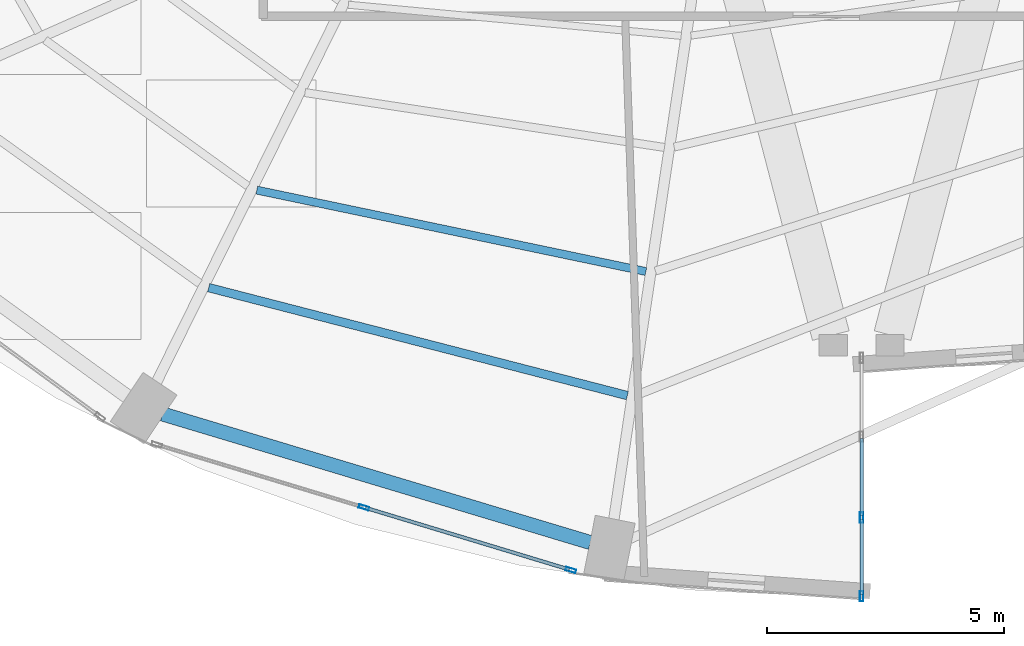
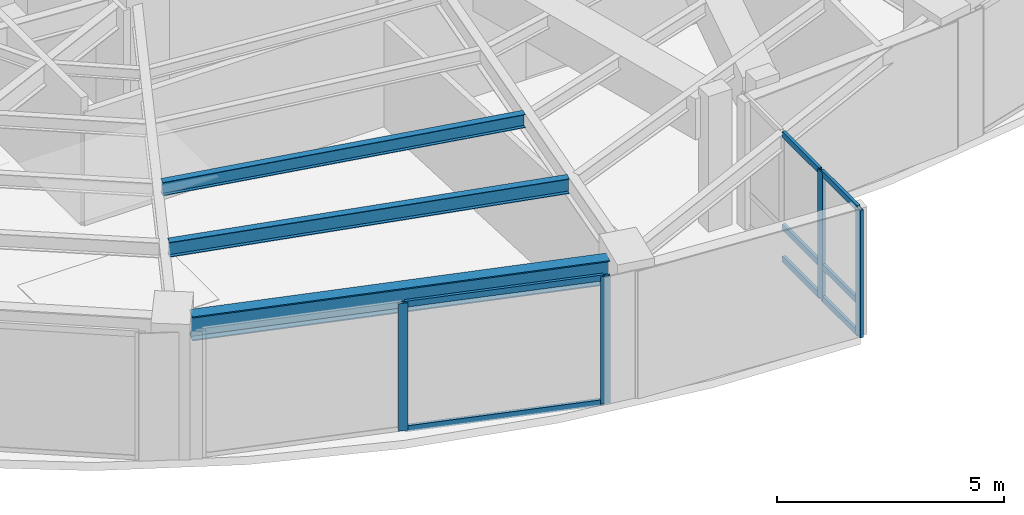
# One storey, part 5 of 25: 12 members, 3 beams, 2 elements without a shape of their own.
"""IFC4 building model written with IfcOpenShell, lengths in metres."""

from ifc_helpers import new_model, si_unit, direction, frame, origin, origin_2d, place, context, subcontext, project, spatial, hollow_rectangle, i_section, extrude, material, layer, layer_set, material_profile, profile_set, type_object, element, aggregate, save


model = new_model("IFC4")

# Units and contexts
model_context = context("Model", 3, precision=1e-05, world=origin(), true_north=direction((0.0, 1.0)))
body_context = subcontext(model_context, "Body", "Model", "MODEL_VIEW")
ifc_project = project(units=[si_unit("LENGTHUNIT", "METRE"), si_unit("AREAUNIT", "SQUARE_METRE"), si_unit("VOLUMEUNIT", "CUBIC_METRE"), si_unit("PLANEANGLEUNIT", "RADIAN"), si_unit("MASSUNIT", "GRAM", prefix="KILO")], contexts=[model_context])

# Site, building, storey
site_placement = place(None, origin())
site = spatial("IfcSite", under=ifc_project, at=site_placement, CompositionType="ELEMENT")
building_placement = place(site_placement, origin())
building = spatial("IfcBuilding", under=site, at=building_placement, Name="Lazwardi Medical Tower", CompositionType="ELEMENT")
storey_placement = place(building_placement, frame((0.0, 0.0, 50.736083984375)))
storey = spatial("IfcBuildingStorey", under=building, at=storey_placement, Name="L12", CompositionType="ELEMENT", Elevation=50.736083984375)

# Beams
ifc_material_1 = material(Name="Steel S355", Category="steel")
ifc_material_profile_1 = material_profile(ifc_material_1, i_section(OverallWidth=0.300048828125, OverallDepth=0.64990234375, WebThickness=0.01611328125, FlangeThickness=0.031005859375, at=origin_2d()), Name="HEB 650")
ifc_profile_set_1 = profile_set([ifc_material_profile_1], Name="Steel S355")
beam_type_1 = type_object("IfcBeamType", Name="BM-RB-Z1", PredefinedType="BEAM", material=ifc_profile_set_1)
beam_1_placement = place(storey_placement, frame((21.22119140625, 8.9951171875, 3.10302734375), z_axis=(0.957695289269, -0.287784177662, 0.0), x_axis=(0.287784177662, 0.957695289269, 0.0)))
element("IfcBeam", 1, at=beam_1_placement, inside=storey, type_object=beam_type_1, Name="Ring beam RB-02 B15 L12", PredefinedType="BEAM", context=body_context, shape_type="SweptSolid", body=[
    extrude(i_section(OverallWidth=0.300048828125, OverallDepth=0.64990234375, WebThickness=0.01611328125, FlangeThickness=0.031005859375, at=origin_2d()), origin(), (0.0, 0.0, 1.0), 9.445556640625),
])
ifc_material_profile_2 = material_profile(ifc_material_1, i_section(OverallWidth=0.179931640625, OverallDepth=0.39990234375, WebThickness=0.008544921875, FlangeThickness=0.013427734375, at=origin_2d()), Name="IPE 400")
ifc_profile_set_2 = profile_set([ifc_material_profile_2], Name="Steel S355")
beam_type_2 = type_object("IfcBeamType", Name="BM-SJ-01", PredefinedType="JOIST", material=ifc_profile_set_2)
beam_2_placement = place(storey_placement, frame((22.195068359375, 11.666748046875, 3.22802734375), z_axis=(0.968316918308, -0.249724539682, 0.0), x_axis=(0.249724539682, 0.968316918308, 0.0)))
element("IfcBeam", 2, at=beam_2_placement, inside=storey, type_object=beam_type_2, Name="Secondary joist SJ-01 R1 B15 L12", PredefinedType="JOIST", context=body_context, shape_type="SweptSolid", body=[
    extrude(i_section(OverallWidth=0.179931640625, OverallDepth=0.39990234375, WebThickness=0.008544921875, FlangeThickness=0.013427734375, at=origin_2d()), origin(), (0.0, 0.0, 1.0), 9.140869140625),
])
ifc_material_profile_3 = material_profile(ifc_material_1, i_section(OverallWidth=0.169921875, OverallDepth=0.360107421875, WebThickness=0.008056640625, FlangeThickness=0.0126953125, at=origin_2d()), Name="IPE 360")
ifc_profile_set_3 = profile_set([ifc_material_profile_3], Name="Steel S355")
beam_type_3 = type_object("IfcBeamType", Name="BM-SJ-02", PredefinedType="JOIST", material=ifc_profile_set_3)
beam_3_placement = place(storey_placement, frame((23.213623046875, 13.728271484375, 3.247802734375), z_axis=(0.978809182847, -0.204774470026, 0.0), x_axis=(0.204774470026, 0.978809182847, 0.0)))
element("IfcBeam", 3, at=beam_3_placement, inside=storey, type_object=beam_type_3, Name="Secondary joist SJ-02 R2 B15 L12", PredefinedType="JOIST", context=body_context, shape_type="SweptSolid", body=[
    extrude(i_section(OverallWidth=0.169921875, OverallDepth=0.360107421875, WebThickness=0.008056640625, FlangeThickness=0.0126953125, at=origin_2d()), origin(), (0.0, 0.0, 1.0), 8.40283203125),
])

# Curtain wall, members
ifc_material_2 = material(Name="Anodised bronze aluminium and solar control glazing", Category="aluminium")
ifc_layer_1 = layer(ifc_material_2, 0.199951171875)
ifc_layer_set_1 = layer_set([ifc_layer_1], Name="Anodised bronze aluminium and solar control glazing")
curtain_wall_type_1 = type_object("IfcCurtainWallType", Name="CW-SYS-02", PredefinedType="NOTDEFINED", material=ifc_layer_set_1)
curtain_wall_1_placement = place(storey_placement, origin())
curtain_wall_1 = element("IfcCurtainWall", 4, at=curtain_wall_1_placement, inside=storey, type_object=curtain_wall_type_1, Name="L12 Unitised bronze curtain wall CW-02", PredefinedType="NOTDEFINED")
ifc_material_3 = material(Name="Anodised bronze aluminium", Category="aluminium")
ifc_material_profile_4 = material_profile(ifc_material_3, hollow_rectangle(XDim=0.074951171875, YDim=0.219970703125, WallThickness=0.00390625, at=origin_2d()), Name="ALU-MULLION 220x75x4")
ifc_profile_set_4 = profile_set([ifc_material_profile_4], Name="Anodised bronze aluminium")
member_type_1 = type_object("IfcMemberType", Name="CW-MUL-01", PredefinedType="MULLION", material=ifc_profile_set_4)
member_1_placement = place(storey_placement, frame((25.476806640625, 7.021484375, 0.0), z_axis=(0.0, 0.0, 1.0), x_axis=(0.2898956909, 0.957058247129, 0.0)))
member_1 = element("IfcMember", 5, at=member_1_placement, type_object=member_type_1, Name="CW-02 mullion 2", PredefinedType="MULLION", context=body_context, shape_type="SweptSolid", body=[
    extrude(hollow_rectangle(XDim=0.074951171875, YDim=0.219970703125, WallThickness=0.00390625, at=origin_2d()), origin(), (0.0, 0.0, 1.0), 3.427978515625),
])
member_2_placement = place(storey_placement, frame((29.85205078125, 5.6962890625, 0.0), z_axis=(0.0, 0.0, 1.0), x_axis=(0.2898956909, 0.957058247129, 0.0)))
member_2 = element("IfcMember", 6, at=member_2_placement, type_object=member_type_1, Name="CW-02 mullion 3", PredefinedType="MULLION", context=body_context, shape_type="SweptSolid", body=[
    extrude(hollow_rectangle(XDim=0.074951171875, YDim=0.219970703125, WallThickness=0.00390625, at=origin_2d()), origin(), (0.0, 0.0, 1.0), 3.427978515625),
])

ifc_layer_2 = layer(ifc_material_2, 0.2099609375)
ifc_layer_set_2 = layer_set([ifc_layer_2], Name="Anodised bronze aluminium and solar control glazing")
curtain_wall_type_2 = type_object("IfcCurtainWallType", Name="CW-SYS-06", PredefinedType="NOTDEFINED", material=ifc_layer_set_2)
curtain_wall_2_placement = place(storey_placement, origin())
curtain_wall_2 = element("IfcCurtainWall", 7, at=curtain_wall_2_placement, inside=storey, type_object=curtain_wall_type_2, Name="L12 Unitised bronze curtain wall CW-06", PredefinedType="NOTDEFINED")
member_3_placement = place(storey_placement, frame((36.0, 5.137451171875, 0.0), z_axis=(0.0, 0.0, 1.0), x_axis=(-1.0, 0.0, 0.0)))
member_3 = element("IfcMember", 8, at=member_3_placement, type_object=member_type_1, Name="CW-06 mullion 1", PredefinedType="MULLION", context=body_context, shape_type="SweptSolid", body=[
    extrude(hollow_rectangle(XDim=0.074951171875, YDim=0.219970703125, WallThickness=0.00390625, at=origin_2d()), origin(), (0.0, 0.0, 1.0), 3.427978515625),
])
member_4_placement = place(storey_placement, frame((36.0, 6.806640625, 0.0), z_axis=(0.0, 0.0, 1.0), x_axis=(-1.0, 0.0, 0.0)))
member_4 = element("IfcMember", 9, at=member_4_placement, type_object=member_type_1, Name="CW-06 mullion 2", PredefinedType="MULLION", context=body_context, shape_type="SweptSolid", body=[
    extrude(hollow_rectangle(XDim=0.074951171875, YDim=0.219970703125, WallThickness=0.00390625, at=origin_2d()), origin(), (0.0, 0.0, 1.0), 3.427978515625),
])

# Member
ifc_material_profile_5 = material_profile(ifc_material_3, hollow_rectangle(XDim=0.074951171875, YDim=0.159912109375, WallThickness=0.00390625, at=origin_2d()), Name="ALU-TRANSOM 160x75x4")
ifc_profile_set_5 = profile_set([ifc_material_profile_5], Name="Anodised bronze aluminium")
member_type_2 = type_object("IfcMemberType", Name="CW-TRN-01", PredefinedType="USERDEFINED", material=ifc_profile_set_5)
member_5_placement = place(storey_placement, frame((25.5126953125, 7.0107421875, 0.037353515625), z_axis=(0.957047233423, -0.28993204893, 0.0), x_axis=(0.28993204893, 0.957047233423, 0.0)))
member_5 = element("IfcMember", 10, at=member_5_placement, type_object=member_type_2, Name="CW-02 transom 2.1", ObjectType="TRANSOM", PredefinedType="USERDEFINED", context=body_context, shape_type="SweptSolid", body=[
    extrude(hollow_rectangle(XDim=0.074951171875, YDim=0.159912109375, WallThickness=0.00390625, at=origin_2d()), origin(), (0.0, 0.0, 1.0), 4.49658203125),
])

member_6_placement = place(storey_placement, frame((25.5126953125, 7.0107421875, 3.390380859375), z_axis=(0.957047233423, -0.28993204893, 0.0), x_axis=(0.28993204893, 0.957047233423, 0.0)))
member_6 = element("IfcMember", 11, at=member_6_placement, type_object=member_type_2, Name="CW-02 transom 2.2", ObjectType="TRANSOM", PredefinedType="USERDEFINED", context=body_context, shape_type="SweptSolid", body=[
    extrude(hollow_rectangle(XDim=0.074951171875, YDim=0.159912109375, WallThickness=0.00390625, at=origin_2d()), origin(), (0.0, 0.0, 1.0), 4.49658203125),
])

aggregate(curtain_wall_1, [member_1, member_2, member_5, member_6])

member_7_placement = place(storey_placement, frame((36.0, 5.175048828125, 0.037353515625), z_axis=(0.0, 1.0, 0.0), x_axis=(-1.0, 0.0, 0.0)))
member_7 = element("IfcMember", 12, at=member_7_placement, type_object=member_type_2, Name="CW-06 transom 1.1", ObjectType="TRANSOM", PredefinedType="USERDEFINED", context=body_context, shape_type="SweptSolid", body=[
    extrude(hollow_rectangle(XDim=0.074951171875, YDim=0.159912109375, WallThickness=0.00390625, at=origin_2d()), origin(), (0.0, 0.0, 1.0), 1.59423828125),
])

member_8_placement = place(storey_placement, frame((36.0, 5.175048828125, 0.89990234375), z_axis=(0.0, 1.0, 0.0), x_axis=(-1.0, 0.0, 0.0)))
member_8 = element("IfcMember", 13, at=member_8_placement, type_object=member_type_2, Name="CW-06 transom 1.2", ObjectType="TRANSOM", PredefinedType="USERDEFINED", context=body_context, shape_type="SweptSolid", body=[
    extrude(hollow_rectangle(XDim=0.074951171875, YDim=0.159912109375, WallThickness=0.00390625, at=origin_2d()), origin(), (0.0, 0.0, 1.0), 1.59423828125),
])

member_9_placement = place(storey_placement, frame((36.0, 5.175048828125, 3.390380859375), z_axis=(0.0, 1.0, 0.0), x_axis=(-1.0, 0.0, 0.0)))
member_9 = element("IfcMember", 14, at=member_9_placement, type_object=member_type_2, Name="CW-06 transom 1.3", ObjectType="TRANSOM", PredefinedType="USERDEFINED", context=body_context, shape_type="SweptSolid", body=[
    extrude(hollow_rectangle(XDim=0.074951171875, YDim=0.159912109375, WallThickness=0.00390625, at=origin_2d()), origin(), (0.0, 0.0, 1.0), 1.59423828125),
])

member_10_placement = place(storey_placement, frame((36.0, 6.84423828125, 0.037353515625), z_axis=(0.0, 1.0, 0.0), x_axis=(-1.0, 0.0, 0.0)))
member_10 = element("IfcMember", 15, at=member_10_placement, type_object=member_type_2, Name="CW-06 transom 2.1", ObjectType="TRANSOM", PredefinedType="USERDEFINED", context=body_context, shape_type="SweptSolid", body=[
    extrude(hollow_rectangle(XDim=0.074951171875, YDim=0.159912109375, WallThickness=0.00390625, at=origin_2d()), origin(), (0.0, 0.0, 1.0), 1.631591796875),
])

member_11_placement = place(storey_placement, frame((36.0, 6.84423828125, 0.89990234375), z_axis=(0.0, 1.0, 0.0), x_axis=(-1.0, 0.0, 0.0)))
member_11 = element("IfcMember", 16, at=member_11_placement, type_object=member_type_2, Name="CW-06 transom 2.2", ObjectType="TRANSOM", PredefinedType="USERDEFINED", context=body_context, shape_type="SweptSolid", body=[
    extrude(hollow_rectangle(XDim=0.074951171875, YDim=0.159912109375, WallThickness=0.00390625, at=origin_2d()), origin(), (0.0, 0.0, 1.0), 1.631591796875),
])

member_12_placement = place(storey_placement, frame((36.0, 6.84423828125, 3.390380859375), z_axis=(0.0, 1.0, 0.0), x_axis=(-1.0, 0.0, 0.0)))
member_12 = element("IfcMember", 17, at=member_12_placement, type_object=member_type_2, Name="CW-06 transom 2.3", ObjectType="TRANSOM", PredefinedType="USERDEFINED", context=body_context, shape_type="SweptSolid", body=[
    extrude(hollow_rectangle(XDim=0.074951171875, YDim=0.159912109375, WallThickness=0.00390625, at=origin_2d()), origin(), (0.0, 0.0, 1.0), 1.631591796875),
])

aggregate(curtain_wall_2, [member_3, member_4, member_7, member_8, member_9, member_10, member_11, member_12])

save(model, "model.ifc")
